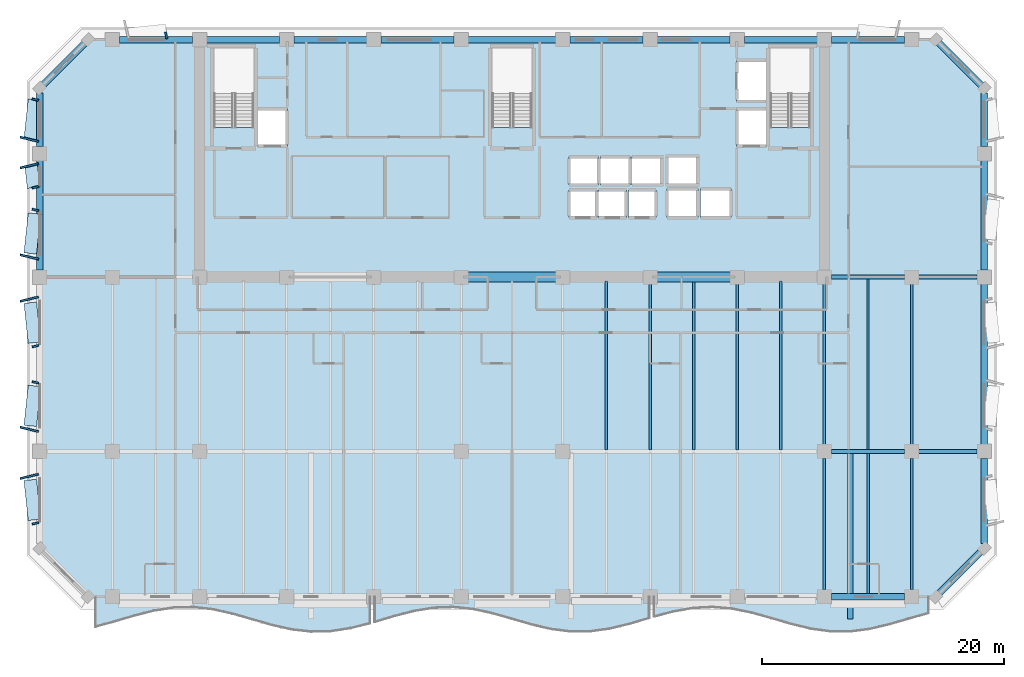
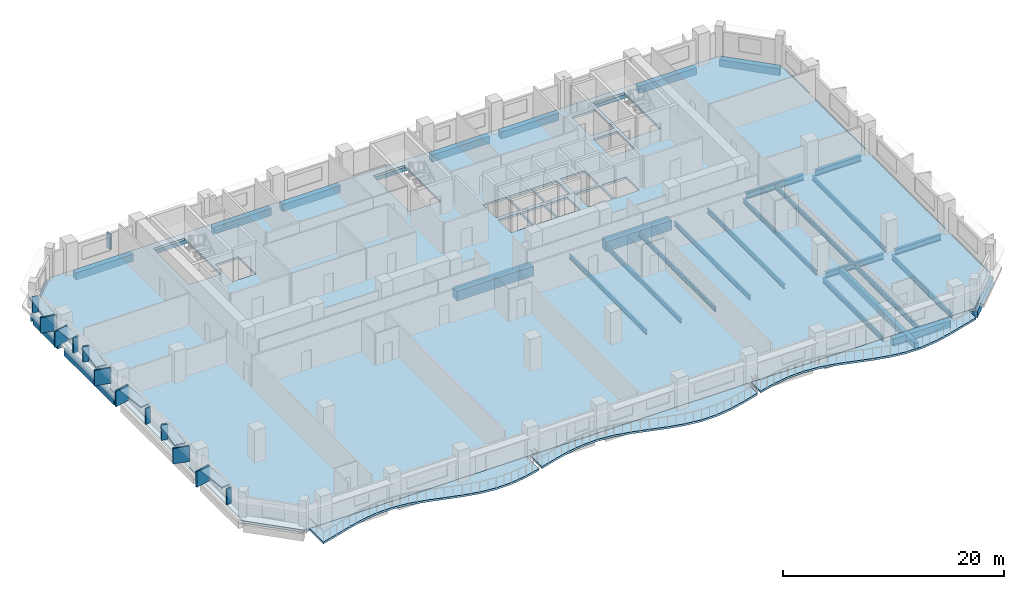
# One storey, part 2 of 14: 37 beams, 19 plates, 4 slabs.
"""IFC4 building model written with IfcOpenShell, lengths in metres."""

from ifc_helpers import new_model, si_unit, direction, frame, origin, origin_2d, place, context, subcontext, project, spatial, polyline, rectangle, i_section, outline, extrude, material, layer, layer_set, material_profile, profile_set, type_object, element, save


model = new_model("IFC4")

# Units and contexts
model_context = context("Model", 3, precision=1e-05, world=origin(), true_north=direction((0.0, 1.0)))
body_context = subcontext(model_context, "Body", "Model", "MODEL_VIEW")
ifc_project = project(units=[si_unit("LENGTHUNIT", "METRE"), si_unit("AREAUNIT", "SQUARE_METRE"), si_unit("VOLUMEUNIT", "CUBIC_METRE"), si_unit("PLANEANGLEUNIT", "RADIAN"), si_unit("MASSUNIT", "GRAM", prefix="KILO")], contexts=[model_context])

# Site, building, storey
site_placement = place(None, origin())
site = spatial("IfcSite", under=ifc_project, at=site_placement, CompositionType="ELEMENT")
building_placement = place(site_placement, origin())
building = spatial("IfcBuilding", under=site, at=building_placement, Name="Kaelvorn Grand Hotel", CompositionType="ELEMENT")
storey_placement = place(building_placement, frame((0.0, 0.0, 212.949951171875)))
storey = spatial("IfcBuildingStorey", under=building, at=storey_placement, Name="L52", CompositionType="ELEMENT", Elevation=212.949951171875)

# Beams
ifc_material_1 = material(Name="Steel S355", Category="steel")
ifc_material_profile_1 = material_profile(ifc_material_1, i_section(OverallWidth=0.300048828125, OverallDepth=0.64990234375, WebThickness=0.01611328125, FlangeThickness=0.031005859375, FilletRadius=0.027099609375, at=origin_2d()), Name="HEB 650")
ifc_profile_set_1 = profile_set([ifc_material_profile_1], Name="Steel S355")
beam_type_1 = type_object("IfcBeamType", Name="BM-G-HEB650-S355", PredefinedType="BEAM", material=ifc_profile_set_1)
beam_1_placement = place(storey_placement, frame((68.385009765625, 15.0, -0.56494140625), z_axis=(1.0, 0.0, 0.0), x_axis=(0.0, 1.0, 0.0)))
element("IfcBeam", 1, at=beam_1_placement, inside=storey, type_object=beam_type_1, Name="L52 Primary Spine Steel Girder G-15 06", PredefinedType="BEAM", context=body_context, shape_type="SweptSolid", body=[
    extrude(i_section(OverallWidth=0.300048828125, OverallDepth=0.64990234375, WebThickness=0.01611328125, FlangeThickness=0.031005859375, FilletRadius=0.027099609375, at=origin_2d()), origin(), (0.0, 0.0, 1.0), 6.030029296875),
])
beam_2_placement = place(storey_placement, frame((75.5849609375, 15.0, -0.56494140625), z_axis=(1.0, 0.0, 0.0), x_axis=(0.0, 1.0, 0.0)))
element("IfcBeam", 2, at=beam_2_placement, inside=storey, type_object=beam_type_1, Name="L52 Primary Spine Steel Girder G-15 07", PredefinedType="BEAM", context=body_context, shape_type="SweptSolid", body=[
    extrude(i_section(OverallWidth=0.300048828125, OverallDepth=0.64990234375, WebThickness=0.01611328125, FlangeThickness=0.031005859375, FilletRadius=0.027099609375, at=origin_2d()), origin(), (0.0, 0.0, 1.0), 4.830078125),
])
beam_3_placement = place(storey_placement, frame((68.385009765625, 29.39990234375, -0.56494140625), z_axis=(1.0, 0.0, 0.0), x_axis=(0.0, 1.0, 0.0)))
element("IfcBeam", 3, at=beam_3_placement, inside=storey, type_object=beam_type_1, Name="L52 East Core Wing Steel Girder G-29E 01", PredefinedType="BEAM", context=body_context, shape_type="SweptSolid", body=[
    extrude(i_section(OverallWidth=0.300048828125, OverallDepth=0.64990234375, WebThickness=0.01611328125, FlangeThickness=0.031005859375, FilletRadius=0.027099609375, at=origin_2d()), origin(), (0.0, 0.0, 1.0), 6.030029296875),
])
beam_4_placement = place(storey_placement, frame((75.5849609375, 29.39990234375, -0.56494140625), z_axis=(1.0, 0.0, 0.0), x_axis=(0.0, 1.0, 0.0)))
element("IfcBeam", 4, at=beam_4_placement, inside=storey, type_object=beam_type_1, Name="L52 East Core Wing Steel Girder G-29E 02", PredefinedType="BEAM", context=body_context, shape_type="SweptSolid", body=[
    extrude(i_section(OverallWidth=0.300048828125, OverallDepth=0.64990234375, WebThickness=0.01611328125, FlangeThickness=0.031005859375, FilletRadius=0.027099609375, at=origin_2d()), origin(), (0.0, 0.0, 1.0), 4.830078125),
])
ifc_material_profile_2 = material_profile(ifc_material_1, i_section(OverallWidth=0.199951171875, OverallDepth=0.5, WebThickness=0.01025390625, FlangeThickness=0.01611328125, FilletRadius=0.02099609375, at=origin_2d()), Name="IPE 500")
ifc_profile_set_2 = profile_set([ifc_material_profile_2], Name="Steel S355")
beam_type_2 = type_object("IfcBeamType", Name="BM-J-IPE500-S355", PredefinedType="JOIST", material=ifc_profile_set_2)
beam_5_placement = place(storey_placement, frame((49.800048828125, 15.135009765625, -0.489990234375), z_axis=(0.0, 1.0, 0.0), x_axis=(-1.0, 0.0, 0.0)))
element("IfcBeam", 5, at=beam_5_placement, inside=storey, type_object=beam_type_2, Name="L52 Composite Floor Joist JM-14", PredefinedType="JOIST", context=body_context, shape_type="SweptSolid", body=[
    extrude(i_section(OverallWidth=0.199951171875, OverallDepth=0.5, WebThickness=0.01025390625, FlangeThickness=0.01611328125, FilletRadius=0.02099609375, at=origin_2d()), origin(), (0.0, 0.0, 1.0), 13.925048828125),
])
beam_6_placement = place(storey_placement, frame((53.39990234375, 15.135009765625, -0.489990234375), z_axis=(0.0, 1.0, 0.0), x_axis=(-1.0, 0.0, 0.0)))
element("IfcBeam", 6, at=beam_6_placement, inside=storey, type_object=beam_type_2, Name="L52 Composite Floor Joist JM-15", PredefinedType="JOIST", context=body_context, shape_type="SweptSolid", body=[
    extrude(i_section(OverallWidth=0.199951171875, OverallDepth=0.5, WebThickness=0.01025390625, FlangeThickness=0.01611328125, FilletRadius=0.02099609375, at=origin_2d()), origin(), (0.0, 0.0, 1.0), 13.679931640625),
])
beam_7_placement = place(storey_placement, frame((57.0, 15.135009765625, -0.489990234375), z_axis=(0.0, 1.0, 0.0), x_axis=(-1.0, 0.0, 0.0)))
element("IfcBeam", 7, at=beam_7_placement, inside=storey, type_object=beam_type_2, Name="L52 Composite Floor Joist JM-16", PredefinedType="JOIST", context=body_context, shape_type="SweptSolid", body=[
    extrude(i_section(OverallWidth=0.199951171875, OverallDepth=0.5, WebThickness=0.01025390625, FlangeThickness=0.01611328125, FilletRadius=0.02099609375, at=origin_2d()), origin(), (0.0, 0.0, 1.0), 13.925048828125),
])
beam_8_placement = place(storey_placement, frame((60.60009765625, 15.135009765625, -0.489990234375), z_axis=(0.0, 1.0, 0.0), x_axis=(-1.0, 0.0, 0.0)))
element("IfcBeam", 8, at=beam_8_placement, inside=storey, type_object=beam_type_2, Name="L52 Composite Floor Joist JM-17", PredefinedType="JOIST", context=body_context, shape_type="SweptSolid", body=[
    extrude(i_section(OverallWidth=0.199951171875, OverallDepth=0.5, WebThickness=0.01025390625, FlangeThickness=0.01611328125, FilletRadius=0.02099609375, at=origin_2d()), origin(), (0.0, 0.0, 1.0), 13.679931640625),
])
beam_9_placement = place(storey_placement, frame((64.199951171875, 15.135009765625, -0.489990234375), z_axis=(0.0, 1.0, 0.0), x_axis=(-1.0, 0.0, 0.0)))
element("IfcBeam", 9, at=beam_9_placement, inside=storey, type_object=beam_type_2, Name="L52 Composite Floor Joist JM-18", PredefinedType="JOIST", context=body_context, shape_type="SweptSolid", body=[
    extrude(i_section(OverallWidth=0.199951171875, OverallDepth=0.5, WebThickness=0.01025390625, FlangeThickness=0.01611328125, FilletRadius=0.02099609375, at=origin_2d()), origin(), (0.0, 0.0, 1.0), 13.925048828125),
])
beam_10_placement = place(storey_placement, frame((67.800048828125, 15.5849609375, -0.489990234375), z_axis=(0.0, 1.0, 0.0), x_axis=(-1.0, 0.0, 0.0)))
element("IfcBeam", 10, at=beam_10_placement, inside=storey, type_object=beam_type_2, Name="L52 Composite Floor Joist JM-19", PredefinedType="JOIST", context=body_context, shape_type="SweptSolid", body=[
    extrude(i_section(OverallWidth=0.199951171875, OverallDepth=0.5, WebThickness=0.01025390625, FlangeThickness=0.01611328125, FilletRadius=0.02099609375, at=origin_2d()), origin(), (0.0, 0.0, 1.0), 13.22998046875),
])
beam_11_placement = place(storey_placement, frame((71.39990234375, 15.135009765625, -0.489990234375), z_axis=(0.0, 1.0, 0.0), x_axis=(-1.0, 0.0, 0.0)))
element("IfcBeam", 11, at=beam_11_placement, inside=storey, type_object=beam_type_2, Name="L52 Composite Floor Joist JM-20", PredefinedType="JOIST", context=body_context, shape_type="SweptSolid", body=[
    extrude(i_section(OverallWidth=0.199951171875, OverallDepth=0.5, WebThickness=0.01025390625, FlangeThickness=0.01611328125, FilletRadius=0.02099609375, at=origin_2d()), origin(), (0.0, 0.0, 1.0), 14.1298828125),
])
beam_12_placement = place(storey_placement, frame((75.0, 15.5849609375, -0.489990234375), z_axis=(0.0, 1.0, 0.0), x_axis=(-1.0, 0.0, 0.0)))
element("IfcBeam", 12, at=beam_12_placement, inside=storey, type_object=beam_type_2, Name="L52 Composite Floor Joist JM-21", PredefinedType="JOIST", context=body_context, shape_type="SweptSolid", body=[
    extrude(i_section(OverallWidth=0.199951171875, OverallDepth=0.5, WebThickness=0.01025390625, FlangeThickness=0.01611328125, FilletRadius=0.02099609375, at=origin_2d()), origin(), (0.0, 0.0, 1.0), 13.22998046875),
])
ifc_material_profile_3 = material_profile(ifc_material_1, i_section(OverallWidth=0.2099609375, OverallDepth=0.550048828125, WebThickness=0.010986328125, FlangeThickness=0.01708984375, FilletRadius=0.02392578125, at=origin_2d()), Name="IPE 550")
ifc_profile_set_3 = profile_set([ifc_material_profile_3], Name="Steel S355")
beam_type_3 = type_object("IfcBeamType", Name="BM-J-IPE550-S355", PredefinedType="JOIST", material=ifc_profile_set_3)
beam_13_placement = place(storey_placement, frame((67.800048828125, 3.5849609375, -0.514892578125), z_axis=(0.0, 1.0, 0.0), x_axis=(-1.0, 0.0, 0.0)))
element("IfcBeam", 13, at=beam_13_placement, inside=storey, type_object=beam_type_3, Name="L52 Composite Floor Joist JS-19", PredefinedType="JOIST", context=body_context, shape_type="SweptSolid", body=[
    extrude(i_section(OverallWidth=0.2099609375, OverallDepth=0.550048828125, WebThickness=0.010986328125, FlangeThickness=0.01708984375, FilletRadius=0.02392578125, at=origin_2d()), origin(), (0.0, 0.0, 1.0), 10.830078125),
])
beam_14_placement = place(storey_placement, frame((71.39990234375, 3.260009765625, -0.514892578125), z_axis=(0.0, 1.0, 0.0), x_axis=(-1.0, 0.0, 0.0)))
element("IfcBeam", 14, at=beam_14_placement, inside=storey, type_object=beam_type_3, Name="L52 Composite Floor Joist JS-20", PredefinedType="JOIST", context=body_context, shape_type="SweptSolid", body=[
    extrude(i_section(OverallWidth=0.2099609375, OverallDepth=0.550048828125, WebThickness=0.010986328125, FlangeThickness=0.01708984375, FilletRadius=0.02392578125, at=origin_2d()), origin(), (0.0, 0.0, 1.0), 11.60498046875),
])
beam_15_placement = place(storey_placement, frame((75.0, 3.5849609375, -0.514892578125), z_axis=(0.0, 1.0, 0.0), x_axis=(-1.0, 0.0, 0.0)))
element("IfcBeam", 15, at=beam_15_placement, inside=storey, type_object=beam_type_3, Name="L52 Composite Floor Joist JS-21", PredefinedType="JOIST", context=body_context, shape_type="SweptSolid", body=[
    extrude(i_section(OverallWidth=0.2099609375, OverallDepth=0.550048828125, WebThickness=0.010986328125, FlangeThickness=0.01708984375, FilletRadius=0.02392578125, at=origin_2d()), origin(), (0.0, 0.0, 1.0), 10.830078125),
])
ifc_material_2 = material(Name="Concrete C60/75", Category="concrete")
ifc_material_profile_4 = material_profile(ifc_material_2, rectangle(XDim=0.800048828125, YDim=1.10009765625, at=origin_2d()), Name="RC LINTEL 800x1100")
ifc_profile_set_4 = profile_set([ifc_material_profile_4], Name="Concrete C60/75")
beam_type_4 = type_object("IfcBeamType", Name="BM-LIN-800x1100-C60", PredefinedType="LINTEL", material=ifc_profile_set_4)
beam_16_placement = place(storey_placement, frame((37.97998046875, 29.39990234375, -0.7900390625), z_axis=(1.0, 0.0, 0.0), x_axis=(0.0, 1.0, 0.0)))
element("IfcBeam", 16, at=beam_16_placement, inside=storey, type_object=beam_type_4, Name="L52 Rear-Core Coupling Lintel Beam CB1-02", PredefinedType="LINTEL", context=body_context, shape_type="SweptSolid", body=[
    extrude(rectangle(XDim=0.800048828125, YDim=1.10009765625, at=origin_2d()), origin(), (0.0, 0.0, 1.0), 8.0400390625),
])
beam_17_placement = place(storey_placement, frame((53.580078125, 29.39990234375, -0.7900390625), z_axis=(1.0, 0.0, 0.0), x_axis=(0.0, 1.0, 0.0)))
element("IfcBeam", 17, at=beam_17_placement, inside=storey, type_object=beam_type_4, Name="L52 Rear-Core Coupling Lintel Beam CB1-03", PredefinedType="LINTEL", context=body_context, shape_type="SweptSolid", body=[
    extrude(rectangle(XDim=0.800048828125, YDim=1.10009765625, at=origin_2d()), origin(), (0.0, 0.0, 1.0), 6.83984375),
])
ifc_material_3 = material(Name="Concrete C40/50", Category="concrete")
ifc_material_profile_5 = material_profile(ifc_material_3, rectangle(XDim=0.449951171875, YDim=0.64990234375, at=origin_2d()), Name="RC RIB 450x650")
ifc_profile_set_5 = profile_set([ifc_material_profile_5], Name="Concrete C40/50")
beam_type_5 = type_object("IfcBeamType", Name="BM-RIB-450x650-C40", PredefinedType="SPANDREL", material=ifc_profile_set_5)
beam_18_placement = place(storey_placement, frame((69.923828125, 1.14990234375, -0.544921875), z_axis=(0.0, 1.0, 0.0), x_axis=(-1.0, 0.0, 0.0)))
element("IfcBeam", 18, at=beam_18_placement, inside=storey, type_object=beam_type_5, Name="L52 Cantilevered Balcony Back-Span Rib RB1-3", PredefinedType="SPANDREL", context=body_context, shape_type="SweptSolid", body=[
    extrude(rectangle(XDim=0.449951171875, YDim=0.64990234375, at=origin_2d()), origin(), (0.0, 0.0, 1.0), 13.715087890625),
])
ifc_material_4 = material(Name="Concrete C50/60", Category="concrete")
ifc_material_profile_6 = material_profile(ifc_material_4, rectangle(XDim=0.550048828125, YDim=0.800048828125, at=origin_2d()), Name="RC SPANDREL 550x800")
ifc_profile_set_6 = profile_set([ifc_material_profile_6], Name="Concrete C50/60")
beam_type_6 = type_object("IfcBeamType", Name="BM-SP-550x800-C50", PredefinedType="SPANDREL", material=ifc_profile_set_6)
for number, where, z_axis, x_axis, name in (
    (19, (68.385009765625, 3.0, -0.639892578125), (1.0, 0.0, 0.0), (0.0, 1.0, 0.0), "L52 South Perimeter Spandrel 10"),
    (20, (9.5849609375, 49.0, -0.639892578125), (1.0, 0.0, 0.0), (0.0, 1.0, 0.0), "L52 North Perimeter Spandrel 02"),
    (21, (16.784912109375, 49.0, -0.639892578125), (1.0, 0.0, 0.0), (0.0, 1.0, 0.0), "L52 North Perimeter Spandrel 03"),
):
    element("IfcBeam", number, at=place(storey_placement, frame(where, z_axis=z_axis, x_axis=x_axis)), inside=storey, type_object=beam_type_6, Name=name, PredefinedType="SPANDREL", context=body_context, shape_type="SweptSolid", body=[
        extrude(rectangle(XDim=0.550048828125, YDim=0.800048828125, at=origin_2d()), origin(), (0.0, 0.0, 1.0), 6.030029296875),
    ])
beam_19_placement = place(storey_placement, frame((23.985107421875, 49.0, -0.639892578125), z_axis=(1.0, 0.0, 0.0), x_axis=(0.0, 1.0, 0.0)))
element("IfcBeam", 22, at=beam_19_placement, inside=storey, type_object=beam_type_6, Name="L52 North Perimeter Spandrel 04", PredefinedType="SPANDREL", context=body_context, shape_type="SweptSolid", body=[
    extrude(rectangle(XDim=0.550048828125, YDim=0.800048828125, at=origin_2d()), origin(), (0.0, 0.0, 1.0), 6.02978515625),
])
beam_20_placement = place(storey_placement, frame((31.18505859375, 49.0, -0.639892578125), z_axis=(1.0, 0.0, 0.0), x_axis=(0.0, 1.0, 0.0)))
element("IfcBeam", 23, at=beam_20_placement, inside=storey, type_object=beam_type_6, Name="L52 North Perimeter Spandrel 05", PredefinedType="SPANDREL", context=body_context, shape_type="SweptSolid", body=[
    extrude(rectangle(XDim=0.550048828125, YDim=0.800048828125, at=origin_2d()), origin(), (0.0, 0.0, 1.0), 6.030029296875),
])
beam_21_placement = place(storey_placement, frame((38.385009765625, 49.0, -0.639892578125), z_axis=(1.0, 0.0, 0.0), x_axis=(0.0, 1.0, 0.0)))
element("IfcBeam", 24, at=beam_21_placement, inside=storey, type_object=beam_type_6, Name="L52 North Perimeter Spandrel 06", PredefinedType="SPANDREL", context=body_context, shape_type="SweptSolid", body=[
    extrude(rectangle(XDim=0.550048828125, YDim=0.800048828125, at=origin_2d()), origin(), (0.0, 0.0, 1.0), 7.22998046875),
])
beam_22_placement = place(storey_placement, frame((46.784912109375, 49.0, -0.639892578125), z_axis=(1.0, 0.0, 0.0), x_axis=(0.0, 1.0, 0.0)))
element("IfcBeam", 25, at=beam_22_placement, inside=storey, type_object=beam_type_6, Name="L52 North Perimeter Spandrel 07", PredefinedType="SPANDREL", context=body_context, shape_type="SweptSolid", body=[
    extrude(rectangle(XDim=0.550048828125, YDim=0.800048828125, at=origin_2d()), origin(), (0.0, 0.0, 1.0), 6.030029296875),
])
beam_23_placement = place(storey_placement, frame((53.985107421875, 49.0, -0.639892578125), z_axis=(1.0, 0.0, 0.0), x_axis=(0.0, 1.0, 0.0)))
element("IfcBeam", 26, at=beam_23_placement, inside=storey, type_object=beam_type_6, Name="L52 North Perimeter Spandrel 08", PredefinedType="SPANDREL", context=body_context, shape_type="SweptSolid", body=[
    extrude(rectangle(XDim=0.550048828125, YDim=0.800048828125, at=origin_2d()), origin(), (0.0, 0.0, 1.0), 6.02978515625),
])
for number, where, z_axis, x_axis, name in (
    (27, (61.18505859375, 49.0, -0.639892578125), (1.0, 0.0, 0.0), (0.0, 1.0, 0.0), "L52 North Perimeter Spandrel 09"),
    (28, (68.385009765625, 49.0, -0.639892578125), (1.0, 0.0, 0.0), (0.0, 1.0, 0.0), "L52 North Perimeter Spandrel 10"),
):
    element("IfcBeam", number, at=place(storey_placement, frame(where, z_axis=z_axis, x_axis=x_axis)), inside=storey, type_object=beam_type_6, Name=name, PredefinedType="SPANDREL", context=body_context, shape_type="SweptSolid", body=[
        extrude(rectangle(XDim=0.550048828125, YDim=0.800048828125, at=origin_2d()), origin(), (0.0, 0.0, 1.0), 6.030029296875),
    ])
beam_24_placement = place(storey_placement, frame((3.0, 29.985107421875, -0.639892578125), z_axis=(0.0, 1.0, 0.0), x_axis=(-1.0, 0.0, 0.0)))
element("IfcBeam", 29, at=beam_24_placement, inside=storey, type_object=beam_type_6, Name="L52 West Perimeter Spandrel 03", PredefinedType="SPANDREL", context=body_context, shape_type="SweptSolid", body=[
    extrude(rectangle(XDim=0.550048828125, YDim=0.800048828125, at=origin_2d()), origin(), (0.0, 0.0, 1.0), 9.02978515625),
])
beam_25_placement = place(storey_placement, frame((3.0, 40.18505859375, -0.639892578125), z_axis=(0.0, 1.0, 0.0), x_axis=(-1.0, 0.0, 0.0)))
element("IfcBeam", 30, at=beam_25_placement, inside=storey, type_object=beam_type_6, Name="L52 West Perimeter Spandrel 04", PredefinedType="SPANDREL", context=body_context, shape_type="SweptSolid", body=[
    extrude(rectangle(XDim=0.550048828125, YDim=0.800048828125, at=origin_2d()), origin(), (0.0, 0.0, 1.0), 4.409912109375),
])
beam_26_placement = place(storey_placement, frame((81.0, 7.405029296875, -0.639892578125), z_axis=(0.0, 1.0, 0.0), x_axis=(-1.0, 0.0, 0.0)))
element("IfcBeam", 31, at=beam_26_placement, inside=storey, type_object=beam_type_6, Name="L52 East Perimeter Spandrel 01", PredefinedType="SPANDREL", context=body_context, shape_type="SweptSolid", body=[
    extrude(rectangle(XDim=0.550048828125, YDim=0.800048828125, at=origin_2d()), origin(), (0.0, 0.0, 1.0), 7.010009765625),
])
beam_27_placement = place(storey_placement, frame((81.0, 15.5849609375, -0.639892578125), z_axis=(0.0, 1.0, 0.0), x_axis=(-1.0, 0.0, 0.0)))
element("IfcBeam", 32, at=beam_27_placement, inside=storey, type_object=beam_type_6, Name="L52 East Perimeter Spandrel 02", PredefinedType="SPANDREL", context=body_context, shape_type="SweptSolid", body=[
    extrude(rectangle(XDim=0.550048828125, YDim=0.800048828125, at=origin_2d()), origin(), (0.0, 0.0, 1.0), 13.22998046875),
])
beam_28_placement = place(storey_placement, frame((81.0, 29.985107421875, -0.639892578125), z_axis=(0.0, 1.0, 0.0), x_axis=(-1.0, 0.0, 0.0)))
element("IfcBeam", 33, at=beam_28_placement, inside=storey, type_object=beam_type_6, Name="L52 East Perimeter Spandrel 03", PredefinedType="SPANDREL", context=body_context, shape_type="SweptSolid", body=[
    extrude(rectangle(XDim=0.550048828125, YDim=0.800048828125, at=origin_2d()), origin(), (0.0, 0.0, 1.0), 9.02978515625),
])
beam_29_placement = place(storey_placement, frame((81.0, 40.18505859375, -0.639892578125), z_axis=(0.0, 1.0, 0.0), x_axis=(-1.0, 0.0, 0.0)))
element("IfcBeam", 34, at=beam_29_placement, inside=storey, type_object=beam_type_6, Name="L52 East Perimeter Spandrel 04", PredefinedType="SPANDREL", context=body_context, shape_type="SweptSolid", body=[
    extrude(rectangle(XDim=0.550048828125, YDim=0.800048828125, at=origin_2d()), origin(), (0.0, 0.0, 1.0), 4.409912109375),
])
for number, where, z_axis, x_axis, name in (
    (35, (77.0, 3.0, -0.639892578125), (0.707106781187, 0.707106781187, 0.0), (-0.707106781187, 0.707106781187, 0.0), "L52 Chamfer Spandrel Beam 1"),
    (36, (81.0, 45.0, -0.639892578125), (-0.707106781187, 0.707106781187, 0.0), (-0.707106781187, -0.707106781187, 0.0), "L52 Chamfer Spandrel Beam 2"),
    (37, (7.0, 49.0, -0.639892578125), (-0.707106781187, -0.707106781187, 0.0), (0.707106781187, -0.707106781187, 0.0), "L52 Chamfer Spandrel Beam 3"),
):
    element("IfcBeam", number, at=place(storey_placement, frame(where, z_axis=z_axis, x_axis=x_axis)), inside=storey, type_object=beam_type_6, Name=name, PredefinedType="SPANDREL", context=body_context, shape_type="SweptSolid", body=[
        extrude(rectangle(XDim=0.550048828125, YDim=0.800048828125, at=origin_2d()), origin(), (0.0, 0.0, 1.0), 5.65673828125),
    ])

# Plates
ifc_material_5 = material(Name="Precast concrete C45/55", Category="concrete")
ifc_layer_1 = layer(ifc_material_5, 0.159912109375)
ifc_layer_set_1 = layer_set([ifc_layer_1], Name="Precast concrete C45/55")
plate_type_1 = type_object("IfcPlateType", Name="PL-FRAME-DEEP-1550", PredefinedType="USERDEFINED", material=ifc_layer_set_1)
for number, where, z_axis, x_axis, name in (
    (38, (2.14501953125, 12.93994140625, 0.81494140625), (0.0, 0.0, 1.0), (-0.233445363856, 0.972369920398, 0.0), "L52 Tilted Precast Window Frame Fin R-W01"),
    (39, (2.14501953125, 16.824951171875, 0.81494140625), (0.0, 0.0, 1.0), (0.233445363856, 0.972369920398, 0.0), "L52 Tilted Precast Window Frame Fin L-W02"),
    (40, (2.14501953125, 27.574951171875, 0.81494140625), (0.0, 0.0, 1.0), (-0.233445363856, 0.972369920398, 0.0), "L52 Tilted Precast Window Frame Fin R-W03"),
    (41, (2.14501953125, 31.06005859375, 0.81494140625), (0.0, 0.0, 1.0), (0.233445363856, 0.972369920398, 0.0), "L52 Tilted Precast Window Frame Fin L-W04"),
    (42, (2.14501953125, 38.590087890625, 0.68994140625), (0.0, 0.0, 1.0), (-0.233445363856, 0.972369920398, 0.0), "L52 Tilted Precast Window Frame Fin R-W05"),
    (43, (2.14501953125, 40.77490234375, 0.740234375), (0.0, 0.0, 1.0), (0.233445363856, 0.972369920398, 0.0), "L52 Tilted Precast Window Frame Fin L-W06"),
):
    element("IfcPlate", number, at=place(storey_placement, frame(where, z_axis=z_axis, x_axis=x_axis)), inside=storey, type_object=plate_type_1, Name=name, ObjectType="FLANGE_PLATE", PredefinedType="USERDEFINED", context=body_context, shape_type="SweptSolid", body=[
        extrude(rectangle(XDim=0.159912109375, YDim=1.550048828125, at=origin_2d()), origin(), (0.0, 0.0, 1.0), 1.719970703125),
    ])
ifc_layer_2 = layer(ifc_material_5, 0.159912109375)
ifc_layer_set_2 = layer_set([ifc_layer_2], Name="Precast concrete C45/55")
plate_type_2 = type_object("IfcPlateType", Name="PL-FRAME-HEAD-1050", PredefinedType="USERDEFINED", material=ifc_layer_set_2)
for number, where, z_axis, x_axis, name in (
    (44, (2.39501953125, 11.0, 2.5), (0.0, 0.0, 1.0), (-0.105830199459, 0.994384215926, 0.0), "L52 Precast Window Frame Head Hood H-W01"),
    (45, (2.39501953125, 18.764892578125, 2.5), (0.0, 0.0, 1.0), (0.105830199459, 0.994384215926, 0.0), "L52 Precast Window Frame Head Hood H-W02"),
    (46, (2.39501953125, 25.635009765625, 2.5), (0.0, 0.0, 1.0), (-0.105830199459, 0.994384215926, 0.0), "L52 Precast Window Frame Head Hood H-W03"),
    (47, (2.39501953125, 33.0, 2.5), (0.0, 0.0, 1.0), (0.105830199459, 0.994384215926, 0.0), "L52 Precast Window Frame Head Hood H-W04"),
):
    element("IfcPlate", number, at=place(storey_placement, frame(where, z_axis=z_axis, x_axis=x_axis)), inside=storey, type_object=plate_type_2, Name=name, ObjectType="FLANGE_PLATE", PredefinedType="USERDEFINED", context=body_context, shape_type="SweptSolid", body=[
        extrude(rectangle(XDim=3.320068359375, YDim=1.050048828125, at=origin_2d()), origin(), (0.0, 0.0, 1.0), 0.159912109375),
    ])
plate_1_placement = place(storey_placement, frame((2.39501953125, 37.699951171875, 2.25), z_axis=(0.0, 0.0, 1.0), x_axis=(-0.105830199459, 0.994384215926, 0.0)))
element("IfcPlate", 48, at=plate_1_placement, inside=storey, type_object=plate_type_2, Name="L52 Precast Window Frame Head Hood H-W05", ObjectType="FLANGE_PLATE", PredefinedType="USERDEFINED", context=body_context, shape_type="SweptSolid", body=[
    extrude(rectangle(XDim=1.860107421875, YDim=1.050048828125, at=origin_2d()), origin(), (0.0, 0.0, 1.0), 0.159912109375),
])
plate_2_placement = place(storey_placement, frame((2.39501953125, 42.4150390625, 2.35009765625), z_axis=(0.0, 0.0, 1.0), x_axis=(0.105830199459, 0.994384215926, 0.0)))
element("IfcPlate", 49, at=plate_2_placement, inside=storey, type_object=plate_type_2, Name="L52 Precast Window Frame Head Hood H-W06", ObjectType="FLANGE_PLATE", PredefinedType="USERDEFINED", context=body_context, shape_type="SweptSolid", body=[
    extrude(rectangle(XDim=3.320068359375, YDim=1.050048828125, at=origin_2d()), origin(), (0.0, 0.0, 1.0), 0.159912109375),
])
ifc_layer_3 = layer(ifc_material_5, 0.159912109375)
ifc_layer_set_3 = layer_set([ifc_layer_3], Name="Precast concrete C45/55")
plate_type_3 = type_object("IfcPlateType", Name="PL-FRAME-SHAL-550", PredefinedType="USERDEFINED", material=ifc_layer_set_3)
for number, where, z_axis, x_axis, name in (
    (50, (2.64501953125, 9.06005859375, 0.81494140625), (0.0, 0.0, 1.0), (-0.233445363856, 0.972369920398, 0.0), "L52 Tilted Precast Window Frame Fin L-W01"),
    (51, (2.64501953125, 20.705078125, 0.81494140625), (0.0, 0.0, 1.0), (0.233445363856, 0.972369920398, 0.0), "L52 Tilted Precast Window Frame Fin R-W02"),
    (52, (2.64501953125, 23.695068359375, 0.81494140625), (0.0, 0.0, 1.0), (-0.233445363856, 0.972369920398, 0.0), "L52 Tilted Precast Window Frame Fin L-W03"),
    (53, (2.64501953125, 34.93994140625, 0.81494140625), (0.0, 0.0, 1.0), (0.233445363856, 0.972369920398, 0.0), "L52 Tilted Precast Window Frame Fin R-W04"),
    (54, (2.64501953125, 36.81005859375, 0.68994140625), (0.0, 0.0, 1.0), (-0.233445363856, 0.972369920398, 0.0), "L52 Tilted Precast Window Frame Fin L-W05"),
    (55, (2.64501953125, 44.054931640625, 0.740234375), (0.0, 0.0, 1.0), (0.233445363856, 0.972369920398, 0.0), "L52 Tilted Precast Window Frame Fin R-W06"),
    (56, (13.43994140625, 49.35498046875, 0.740234375), (0.0, 0.0, 1.0), (0.972369920398, 0.233445363856, 0.0), "L52 Tilted Precast Window Frame Fin R-N01"),
):
    element("IfcPlate", number, at=place(storey_placement, frame(where, z_axis=z_axis, x_axis=x_axis)), inside=storey, type_object=plate_type_3, Name=name, ObjectType="FLANGE_PLATE", PredefinedType="USERDEFINED", context=body_context, shape_type="SweptSolid", body=[
        extrude(rectangle(XDim=0.159912109375, YDim=0.550048828125, at=origin_2d()), origin(), (0.0, 0.0, 1.0), 1.719970703125),
    ])

# Slabs
ifc_layer_4 = layer(ifc_material_3, 0.219970703125)
ifc_layer_set_4 = layer_set([ifc_layer_4], Name="Concrete C40/50")
slab_type_1 = type_object("IfcSlabType", Name="SLB-BALC-220-C40", PredefinedType="FLOOR", material=ifc_layer_set_4)
slab_1_placement = place(storey_placement, frame((0.0, 0.0, -0.219970703125)))
element("IfcSlab", 57, at=slab_1_placement, inside=storey, type_object=slab_type_1, Name="L52 Scalloped Wave Balcony Slab 1", PredefinedType="FLOOR", context=body_context, shape_type="SweptSolid", body=[
    extrude(outline(polyline([(7.60009765625, 0.5224609375), (9.218994140625, 0.96435546875), (10.838134765625, 1.441162109375), (12.45703125, 1.84912109375), (14.076171875, 2.099365234375), (15.6953125, 2.1376953125), (17.314208984375, 1.955322265625), (18.933349609375, 1.592041015625), (20.552490234375, 1.127197265625), (22.17138671875, 0.661865234375), (23.79052734375, 0.29736328125), (25.409423828125, 0.113037109375), (27.028564453125, 0.149169921875), (28.647705078125, 0.397705078125), (30.2666015625, 0.804443359375), (30.2666015625, 3.0), (7.60009765625, 3.0), (7.60009765625, 0.5224609375)])), origin(), (0.0, 0.0, 1.0), 0.219970703125),
])
slab_2_placement = place(storey_placement, frame((0.0, 0.0, -0.219970703125)))
element("IfcSlab", 58, at=slab_2_placement, inside=storey, type_object=slab_type_1, Name="L52 Scalloped Wave Balcony Slab 2", PredefinedType="FLOOR", context=body_context, shape_type="SweptSolid", body=[
    extrude(outline(polyline([(30.666748046875, 0.919677734375), (32.28564453125, 1.397705078125), (33.90478515625, 1.81640625), (35.52392578125, 2.08447265625), (37.142822265625, 2.1435546875), (38.761962890625, 1.98095703125), (40.380859375, 1.632080078125), (42.0, 1.172607421875), (43.619140625, 0.702880859375), (45.238037109375, 0.324951171875), (46.857177734375, 0.121337890625), (48.47607421875, 0.13623046875), (50.09521484375, 0.3662109375), (51.71435546875, 0.76171875), (53.333251953125, 1.236083984375), (53.333251953125, 3.0), (30.666748046875, 3.0), (30.666748046875, 0.919677734375)])), origin(), (0.0, 0.0, 1.0), 0.219970703125),
])
slab_3_placement = place(storey_placement, frame((0.0, 0.0, -0.219970703125)))
element("IfcSlab", 59, at=slab_3_placement, inside=storey, type_object=slab_type_1, Name="L52 Scalloped Wave Balcony Slab 3", PredefinedType="FLOOR", context=body_context, shape_type="SweptSolid", body=[
    extrude(outline(polyline([(53.7333984375, 1.353759765625), (55.352294921875, 1.7822265625), (56.971435546875, 2.067626953125), (58.590576171875, 2.147705078125), (60.20947265625, 2.005126953125), (61.82861328125, 1.671142578125), (63.447509765625, 1.218017578125), (65.066650390625, 0.74462890625), (66.685791015625, 0.354248046875), (68.3046875, 0.131591796875), (69.923828125, 0.125244140625), (71.54296875, 0.33642578125), (73.161865234375, 0.719482421875), (74.781005859375, 1.19091796875), (76.39990234375, 1.647705078125), (76.39990234375, 3.0), (53.7333984375, 3.0), (53.7333984375, 1.353759765625)])), origin(), (0.0, 0.0, 1.0), 0.219970703125),
])
ifc_layer_5 = layer(ifc_material_3, 0.239990234375)
ifc_layer_set_5 = layer_set([ifc_layer_5], Name="Concrete C40/50")
slab_type_2 = type_object("IfcSlabType", Name="SLB-FLR-240-C40", PredefinedType="FLOOR", material=ifc_layer_set_5)
slab_4_placement = place(storey_placement, frame((0.0, 0.0, -0.239990234375)))
element("IfcSlab", 60, at=slab_4_placement, inside=storey, type_object=slab_type_2, Name="L52 Indoor Suspended Floor Slab", PredefinedType="FLOOR", context=body_context, shape_type="SweptSolid", body=[
    extrude(outline(polyline([(7.0, 3.0), (77.0, 3.0), (81.0, 7.0), (81.0, 45.0), (77.0, 49.0), (7.0, 49.0), (3.0, 45.0), (3.0, 7.0), (7.0, 3.0)]), holes=[polyline([(17.39990234375, 41.760009765625), (17.39990234375, 48.300048828125), (20.679931640625, 48.300048828125), (20.679931640625, 41.760009765625), (17.39990234375, 41.760009765625)]), polyline([(40.360107421875, 41.760009765625), (40.360107421875, 48.300048828125), (43.639892578125, 48.300048828125), (43.639892578125, 41.760009765625), (40.360107421875, 41.760009765625)]), polyline([(63.320068359375, 41.760009765625), (63.320068359375, 48.300048828125), (66.60009765625, 48.300048828125), (66.60009765625, 41.760009765625), (63.320068359375, 41.760009765625)]), polyline([(46.699951171875, 34.300048828125), (46.699951171875, 36.60009765625), (49.0, 36.60009765625), (49.0, 34.300048828125), (46.699951171875, 34.300048828125)]), polyline([(49.14990234375, 34.300048828125), (49.14990234375, 36.60009765625), (51.449951171875, 36.60009765625), (51.449951171875, 34.300048828125), (49.14990234375, 34.300048828125)]), polyline([(51.60009765625, 34.300048828125), (51.60009765625, 36.60009765625), (53.89990234375, 36.60009765625), (53.89990234375, 34.300048828125), (51.60009765625, 34.300048828125)]), polyline([(46.699951171875, 37.0), (46.699951171875, 39.35009765625), (49.14990234375, 39.35009765625), (49.14990234375, 37.0), (46.699951171875, 37.0)]), polyline([(49.300048828125, 37.0), (49.300048828125, 39.35009765625), (51.75, 39.35009765625), (51.75, 37.0), (49.300048828125, 37.0)]), polyline([(51.89990234375, 37.0), (51.89990234375, 39.35009765625), (54.35009765625, 39.35009765625), (54.35009765625, 37.0), (51.89990234375, 37.0)]), polyline([(54.800048828125, 34.300048828125), (54.800048828125, 36.699951171875), (57.35009765625, 36.699951171875), (57.35009765625, 34.300048828125), (54.800048828125, 34.300048828125)]), polyline([(57.550048828125, 34.300048828125), (57.550048828125, 36.699951171875), (60.10009765625, 36.699951171875), (60.10009765625, 34.300048828125), (57.550048828125, 34.300048828125)]), polyline([(54.800048828125, 37.0), (54.800048828125, 39.39990234375), (57.35009765625, 39.39990234375), (57.35009765625, 37.0), (54.800048828125, 37.0)]), polyline([(21.0, 40.199951171875), (21.0, 43.300048828125), (23.449951171875, 43.300048828125), (23.449951171875, 40.199951171875), (21.0, 40.199951171875)]), polyline([(60.550048828125, 40.199951171875), (60.550048828125, 43.300048828125), (63.0, 43.300048828125), (63.0, 40.199951171875), (60.550048828125, 40.199951171875)]), polyline([(60.550048828125, 43.89990234375), (60.550048828125, 47.300048828125), (63.0, 47.300048828125), (63.0, 43.89990234375), (60.550048828125, 43.89990234375)])]), origin(), (0.0, 0.0, 1.0), 0.239990234375),
])

save(model, "model.ifc")
